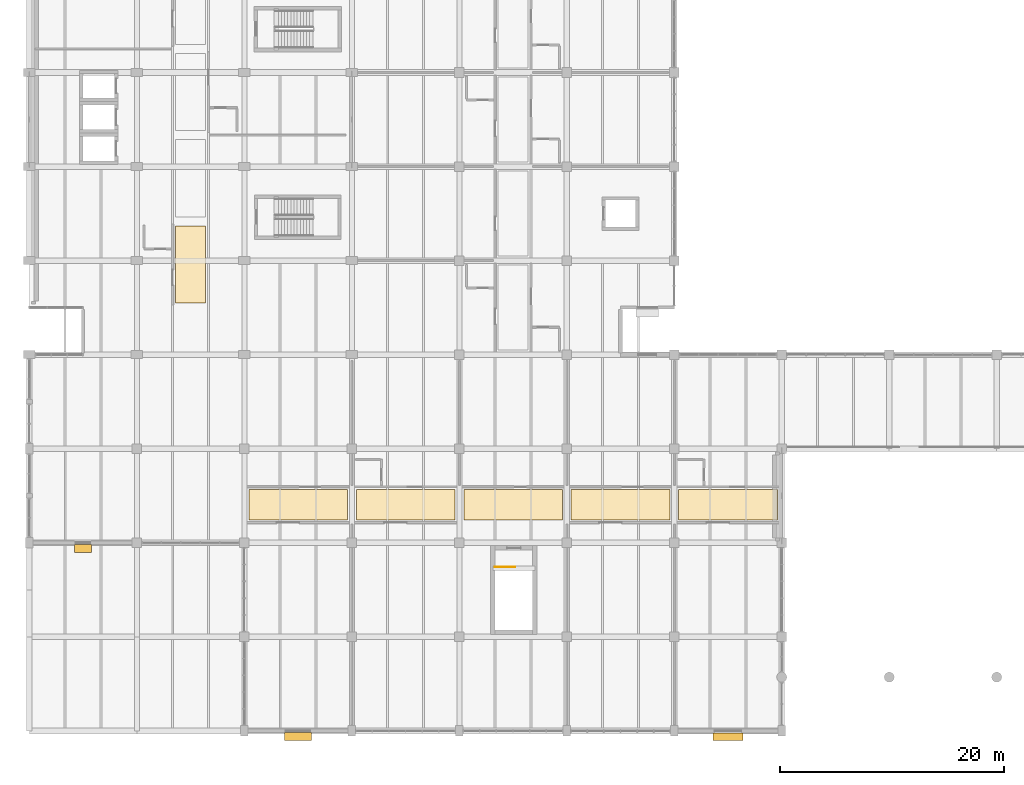
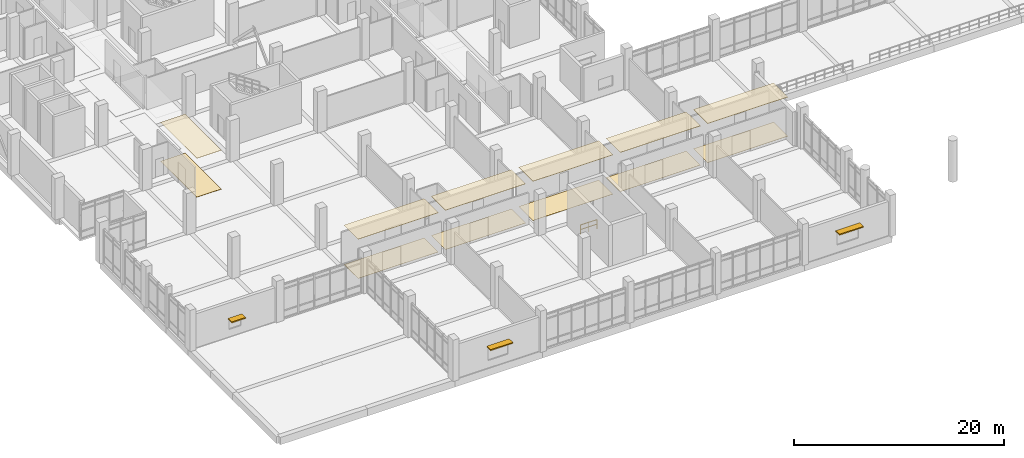
# One storey, part 136 of 152: 12 coverings, 3 shading devices, 1 railing.
"""IFC4 building model written with IfcOpenShell, lengths in metres."""

from ifc_helpers import new_model, si_unit, direction, frame, origin, origin_2d, place, context, subcontext, project, spatial, polyline, rectangle, circle, outline, extrude, material, layer, layer_set, type_object, element, save


model = new_model("IFC4")

# Units and contexts
model_context = context("Model", 3, precision=1e-05, world=origin(), true_north=direction((0.0, 1.0)))
body_context = subcontext(model_context, "Body", "Model", "MODEL_VIEW")
ifc_project = project(units=[si_unit("LENGTHUNIT", "METRE"), si_unit("AREAUNIT", "SQUARE_METRE"), si_unit("VOLUMEUNIT", "CUBIC_METRE"), si_unit("PLANEANGLEUNIT", "RADIAN"), si_unit("MASSUNIT", "GRAM", prefix="KILO")], contexts=[model_context])

# Site, building, storey
site_placement = place(None, origin())
site = spatial("IfcSite", under=ifc_project, at=site_placement, CompositionType="ELEMENT")
building_placement = place(site_placement, origin())
building = spatial("IfcBuilding", under=site, at=building_placement, Name="Oolite Switchyard Hospital", CompositionType="ELEMENT")
storey_placement = place(building_placement, frame((0.0, 0.0, 5.10009765625)))
storey = spatial("IfcBuildingStorey", under=building, at=storey_placement, Name="L01", CompositionType="ELEMENT", Elevation=5.10009765625)

# Coverings
ifc_material_1 = material(Name="Hygienic washable mineral-fibre acoustic ceiling")
ifc_layer_1 = layer(ifc_material_1, 0.0400390625)
ifc_layer_set_1 = layer_set([ifc_layer_1], Name="COV-CEIL-AC60")
covering_type_1 = type_object("IfcCoveringType", Name="COV-CEIL-AC60", PredefinedType="CEILING", material=ifc_layer_set_1)
covering_1_placement = place(storey_placement, frame((0.0, 0.0, 4.539794921875)))
element("IfcCovering", 1, at=covering_1_placement, inside=storey, type_object=covering_type_1, Name="L01 Interventional Cardiology Corridor Ceiling 1", PredefinedType="CEILING", context=body_context, shape_type="SweptSolid", body=[
    extrude(outline(polyline([(19.60009765625, 18.85009765625), (28.39990234375, 18.85009765625), (28.39990234375, 21.550048828125), (19.60009765625, 21.550048828125), (19.60009765625, 18.85009765625)])), origin(), (0.0, 0.0, 1.0), 0.0400390625),
])
covering_2_placement = place(storey_placement, frame((0.0, 0.0, 4.539794921875)))
element("IfcCovering", 2, at=covering_2_placement, inside=storey, type_object=covering_type_1, Name="L01 Interventional Cardiology Corridor Ceiling 2", PredefinedType="CEILING", context=body_context, shape_type="SweptSolid", body=[
    extrude(outline(polyline([(29.199951171875, 18.85009765625), (38.0, 18.85009765625), (38.0, 21.550048828125), (29.199951171875, 21.550048828125), (29.199951171875, 18.85009765625)])), origin(), (0.0, 0.0, 1.0), 0.0400390625),
])
covering_3_placement = place(storey_placement, frame((0.0, 0.0, 4.539794921875)))
element("IfcCovering", 3, at=covering_3_placement, inside=storey, type_object=covering_type_1, Name="L01 Interventional Cardiology Corridor Ceiling 3", PredefinedType="CEILING", context=body_context, shape_type="SweptSolid", body=[
    extrude(outline(polyline([(38.800048828125, 18.85009765625), (47.60009765625, 18.85009765625), (47.60009765625, 21.550048828125), (38.800048828125, 21.550048828125), (38.800048828125, 18.85009765625)])), origin(), (0.0, 0.0, 1.0), 0.0400390625),
])
covering_4_placement = place(storey_placement, frame((0.0, 0.0, 4.539794921875)))
element("IfcCovering", 4, at=covering_4_placement, inside=storey, type_object=covering_type_1, Name="L01 Interventional Cardiology Corridor Ceiling 4", PredefinedType="CEILING", context=body_context, shape_type="SweptSolid", body=[
    extrude(outline(polyline([(48.39990234375, 18.85009765625), (57.199951171875, 18.85009765625), (57.199951171875, 21.550048828125), (48.39990234375, 21.550048828125), (48.39990234375, 18.85009765625)])), origin(), (0.0, 0.0, 1.0), 0.0400390625),
])
covering_5_placement = place(storey_placement, frame((0.0, 0.0, 4.539794921875)))
element("IfcCovering", 5, at=covering_5_placement, inside=storey, type_object=covering_type_1, Name="L01 Interventional Cardiology Corridor Ceiling 5", PredefinedType="CEILING", context=body_context, shape_type="SweptSolid", body=[
    extrude(outline(polyline([(58.0, 18.85009765625), (66.800048828125, 18.85009765625), (66.800048828125, 21.550048828125), (58.0, 21.550048828125), (58.0, 18.85009765625)])), origin(), (0.0, 0.0, 1.0), 0.0400390625),
])
covering_6_placement = place(storey_placement, frame((0.0, 0.0, 4.5)))
element("IfcCovering", 6, at=covering_6_placement, inside=storey, type_object=covering_type_1, Name="L01 West Surgical ICU Corridor Ceiling 1", PredefinedType="CEILING", context=body_context, shape_type="SweptSolid", body=[
    extrude(outline(polyline([(13.050048828125, 38.199951171875), (15.75, 38.199951171875), (15.75, 45.10009765625), (13.050048828125, 45.10009765625), (13.050048828125, 38.199951171875)])), origin(), (0.0, 0.0, 1.0), 0.039794921875),
])
ifc_material_2 = material(Name="Conductive homogeneous sheet vinyl flooring")
ifc_layer_2 = layer(ifc_material_2, 0.014892578125)
ifc_layer_set_2 = layer_set([ifc_layer_2], Name="COV-FLR-ESD15")
covering_type_2 = type_object("IfcCoveringType", Name="COV-FLR-ESD15", PredefinedType="FLOORING", material=ifc_layer_set_2)
covering_7_placement = place(storey_placement, origin())
element("IfcCovering", 7, at=covering_7_placement, inside=storey, type_object=covering_type_2, Name="L01 Interventional Cardiology Corridor Flooring 1", PredefinedType="FLOORING", context=body_context, shape_type="SweptSolid", body=[
    extrude(outline(polyline([(19.60009765625, 18.85009765625), (28.39990234375, 18.85009765625), (28.39990234375, 21.550048828125), (19.60009765625, 21.550048828125), (19.60009765625, 18.85009765625)])), origin(), (0.0, 0.0, 1.0), 0.014892578125),
])
covering_8_placement = place(storey_placement, origin())
element("IfcCovering", 8, at=covering_8_placement, inside=storey, type_object=covering_type_2, Name="L01 Interventional Cardiology Corridor Flooring 2", PredefinedType="FLOORING", context=body_context, shape_type="SweptSolid", body=[
    extrude(outline(polyline([(29.199951171875, 18.85009765625), (38.0, 18.85009765625), (38.0, 21.550048828125), (29.199951171875, 21.550048828125), (29.199951171875, 18.85009765625)])), origin(), (0.0, 0.0, 1.0), 0.014892578125),
])
covering_9_placement = place(storey_placement, origin())
element("IfcCovering", 9, at=covering_9_placement, inside=storey, type_object=covering_type_2, Name="L01 Interventional Cardiology Corridor Flooring 3", PredefinedType="FLOORING", context=body_context, shape_type="SweptSolid", body=[
    extrude(outline(polyline([(38.800048828125, 18.85009765625), (47.60009765625, 18.85009765625), (47.60009765625, 21.550048828125), (38.800048828125, 21.550048828125), (38.800048828125, 18.85009765625)])), origin(), (0.0, 0.0, 1.0), 0.014892578125),
])
covering_10_placement = place(storey_placement, origin())
element("IfcCovering", 10, at=covering_10_placement, inside=storey, type_object=covering_type_2, Name="L01 Interventional Cardiology Corridor Flooring 4", PredefinedType="FLOORING", context=body_context, shape_type="SweptSolid", body=[
    extrude(outline(polyline([(48.39990234375, 18.85009765625), (57.199951171875, 18.85009765625), (57.199951171875, 21.550048828125), (48.39990234375, 21.550048828125), (48.39990234375, 18.85009765625)])), origin(), (0.0, 0.0, 1.0), 0.014892578125),
])
covering_11_placement = place(storey_placement, origin())
element("IfcCovering", 11, at=covering_11_placement, inside=storey, type_object=covering_type_2, Name="L01 Interventional Cardiology Corridor Flooring 5", PredefinedType="FLOORING", context=body_context, shape_type="SweptSolid", body=[
    extrude(outline(polyline([(58.0, 18.85009765625), (66.800048828125, 18.85009765625), (66.800048828125, 21.550048828125), (58.0, 21.550048828125), (58.0, 18.85009765625)])), origin(), (0.0, 0.0, 1.0), 0.014892578125),
])
ifc_material_3 = material(Name="Epoxy terrazzo seamless clinical flooring")
ifc_layer_3 = layer(ifc_material_3, 0.02001953125)
ifc_layer_set_3 = layer_set([ifc_layer_3], Name="COV-FLR-TER20")
covering_type_3 = type_object("IfcCoveringType", Name="COV-FLR-TER20", PredefinedType="FLOORING", material=ifc_layer_set_3)
covering_12_placement = place(storey_placement, origin())
element("IfcCovering", 12, at=covering_12_placement, inside=storey, type_object=covering_type_3, Name="L01 West Surgical ICU Corridor Flooring 1", PredefinedType="FLOORING", context=body_context, shape_type="SweptSolid", body=[
    extrude(outline(polyline([(13.050048828125, 38.199951171875), (15.75, 38.199951171875), (15.75, 45.10009765625), (13.050048828125, 45.10009765625), (13.050048828125, 38.199951171875)])), origin(), (0.0, 0.0, 1.0), 0.02001953125),
])

# Railing
ifc_material_4 = material(Name="Galvanized painted architectural steel handrail", Category="steel")
railing_type = type_object("IfcRailingType", Name="RL-STAIR-GRD", PredefinedType="GUARDRAIL", material=ifc_material_4)
railing_placement = place(storey_placement, frame((41.60009765625, 14.639892578125, 0.0)))
element("IfcRailing", 13, at=railing_placement, inside=storey, type_object=railing_type, Name="L01 ST-08 top well guard 1", PredefinedType="GUARDRAIL", context=body_context, shape_type="SweptSolid", body=[
    extrude(circle(Radius=0.02392578125, at=origin_2d()), frame((0.0, 0.0, 1.076171875), z_axis=(1.0, 0.0, 0.0), x_axis=(0.0, 1.0, 0.0)), (0.0, 0.0, 1.0), 1.7998046875),
    extrude(circle(Radius=0.015625, at=origin_2d()), frame((0.0, 0.0, 0.550048828125), z_axis=(1.0, 0.0, 0.0), x_axis=(0.0, 1.0, 0.0)), (0.0, 0.0, 1.0), 1.7998046875),
    extrude(circle(Radius=0.02099609375, at=origin_2d()), origin(), (0.0, 0.0, 1.0), 1.052001953125),
    extrude(circle(Radius=0.02099609375, at=origin_2d()), frame((0.89990234375, 0.0, 0.0)), (0.0, 0.0, 1.0), 1.052001953125),
    extrude(circle(Radius=0.02099609375, at=origin_2d()), frame((1.7998046875, 0.0, 0.0)), (0.0, 0.0, 1.0), 1.052001953125),
])

# Shading devices
ifc_material_5 = material(Name="Precast oolitic limestone architectural concrete C40/50", Category="masonry")
ifc_layer_4 = layer(ifc_material_5, 0.1201171875)
ifc_layer_set_4 = layer_set([ifc_layer_4], Name="SHD-BRISE-900")
shading_device_type = type_object("IfcShadingDeviceType", Name="SHD-BRISE-900", PredefinedType="AWNING", material=ifc_layer_set_4)
shading_device_1_placement = place(storey_placement, frame((24.0, -0.510009765625, 2.4599609375), z_axis=(0.0, 0.0, 1.0), x_axis=(1.0, 0.0, 0.0)))
element("IfcShadingDevice", 14, at=shading_device_1_placement, inside=storey, type_object=shading_device_type, Name="L01 Classical Brise-Soleil Sunshade 14", PredefinedType="AWNING", context=body_context, shape_type="SweptSolid", body=[
    extrude(rectangle(XDim=2.43994140625, YDim=0.699951171875, at=origin_2d()), origin(), (0.0, 0.0, 1.0), 0.1201171875),
])
shading_device_2_placement = place(storey_placement, frame((62.39990234375, -0.52001953125, 2.4599609375), z_axis=(0.0, 0.0, 1.0), x_axis=(1.0, 0.0, 0.0)))
element("IfcShadingDevice", 15, at=shading_device_2_placement, inside=storey, type_object=shading_device_type, Name="L01 Classical Brise-Soleil Sunshade 15", PredefinedType="AWNING", context=body_context, shape_type="SweptSolid", body=[
    extrude(rectangle(XDim=2.639892578125, YDim=0.699951171875, at=origin_2d()), origin(), (0.0, 0.0, 1.0), 0.1201171875),
])
shading_device_3_placement = place(storey_placement, frame((4.800048828125, 16.280029296875, 2.059814453125), z_axis=(0.0, 0.0, 1.0), x_axis=(1.0, 0.0, 0.0)))
element("IfcShadingDevice", 16, at=shading_device_3_placement, inside=storey, type_object=shading_device_type, Name="L01 Classical Brise-Soleil Sunshade 17", PredefinedType="AWNING", context=body_context, shape_type="SweptSolid", body=[
    extrude(rectangle(XDim=1.5400390625, YDim=0.699951171875, at=origin_2d()), origin(), (0.0, 0.0, 1.0), 0.1201171875),
])

save(model, "model.ifc")
